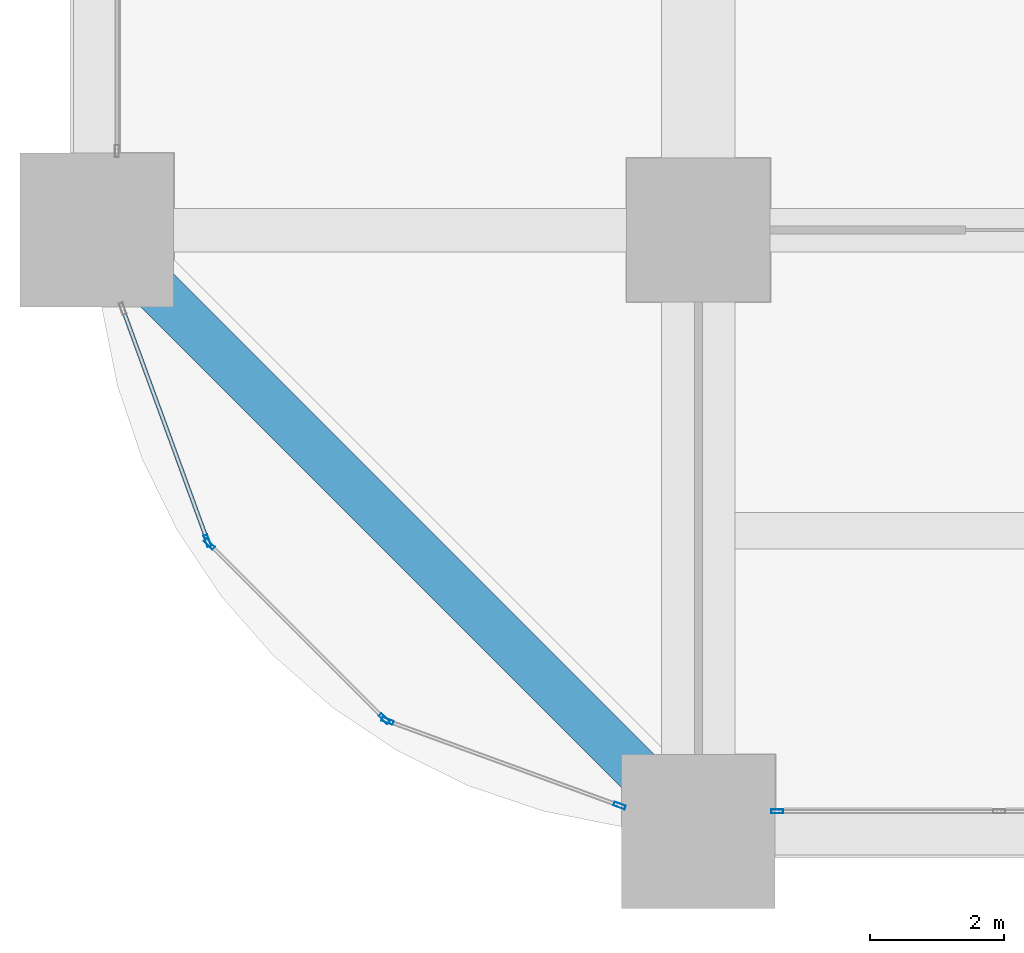
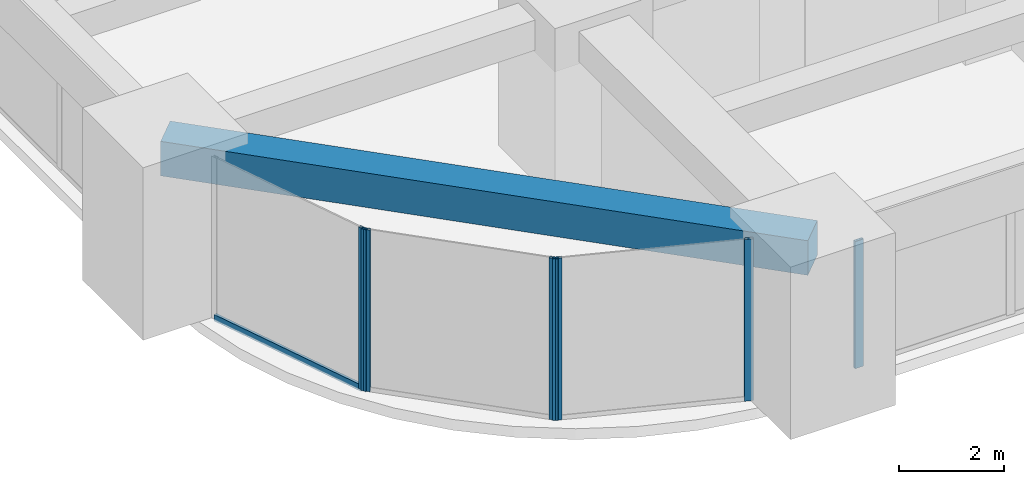
# One storey, part 2 of 44: 7 members, 1 beam, 4 elements without a shape of their own.
"""IFC4 building model written with IfcOpenShell, lengths in metres."""

from ifc_helpers import new_model, si_unit, direction, frame, origin, origin_2d, place, context, subcontext, project, spatial, rectangle, hollow_rectangle, extrude, material, material_profile, profile_set, type_object, element, aggregate, save


model = new_model("IFC4")

# Units and contexts
model_context = context("Model", 3, precision=1e-05, world=origin(), true_north=direction((0.0, 1.0)))
body_context = subcontext(model_context, "Body", "Model", "MODEL_VIEW")
ifc_project = project(units=[si_unit("LENGTHUNIT", "METRE"), si_unit("AREAUNIT", "SQUARE_METRE"), si_unit("VOLUMEUNIT", "CUBIC_METRE"), si_unit("PLANEANGLEUNIT", "RADIAN"), si_unit("MASSUNIT", "GRAM", prefix="KILO")], contexts=[model_context])

# Site, building, storey
site_placement = place(None, origin())
site = spatial("IfcSite", under=ifc_project, at=site_placement, CompositionType="ELEMENT")
building_placement = place(site_placement, origin())
building = spatial("IfcBuilding", under=site, at=building_placement, Name="Zorevar Civic Tower", CompositionType="ELEMENT")
storey_placement = place(building_placement, frame((0.0, 0.0, 51.800048828125)))
storey = spatial("IfcBuildingStorey", under=building, at=storey_placement, Name="L12", CompositionType="ELEMENT", Elevation=51.800048828125)

# Curtain wall, member
ifc_material_1 = material(Name="Dark grey solar-control glass in black aluminium frame", Category="aluminium")
curtain_wall_type = type_object("IfcCurtainWallType", Name="Curtain wall CW2 low zone", PredefinedType="NOTDEFINED", material=ifc_material_1)
curtain_wall_1_placement = place(storey_placement, origin())
curtain_wall_1 = element("IfcCurtainWall", 1, at=curtain_wall_1_placement, inside=storey, type_object=curtain_wall_type, Name="CW2 L12", PredefinedType="NOTDEFINED")
ifc_material_2 = material(Name="Aluminium, black anodised", Category="aluminium")
ifc_material_profile_1 = material_profile(ifc_material_2, hollow_rectangle(XDim=0.06005859375, YDim=0.179931640625, WallThickness=0.00390625, at=origin_2d()), Name="AL 180x60x4")
ifc_profile_set_1 = profile_set([ifc_material_profile_1], Name="Aluminium, black anodised")
member_type_1 = type_object("IfcMemberType", Name="CW2 mullion AL 180x60x4", PredefinedType="MULLION", material=ifc_profile_set_1)
member_1_placement = place(storey_placement, frame((10.179931640625, 0.300048828125, 0.0), z_axis=(0.0, 0.0, 1.0), x_axis=(0.0, 1.0, 0.0)))
member_1 = element("IfcMember", 2, at=member_1_placement, type_object=member_type_1, Name="CW2 mullion 1", PredefinedType="MULLION", context=body_context, shape_type="SweptSolid", body=[
    extrude(hollow_rectangle(XDim=0.06005859375, YDim=0.179931640625, WallThickness=0.00390625, at=origin_2d()), origin(), (0.0, 0.0, 1.0), 2.949951171875),
])
aggregate(curtain_wall_1, [member_1])

curtain_wall_2_placement = place(storey_placement, origin())
curtain_wall_2 = element("IfcCurtainWall", 3, at=curtain_wall_2_placement, inside=storey, type_object=curtain_wall_type, Name="CW2 L12", PredefinedType="NOTDEFINED")
member_2_placement = place(storey_placement, frame((1.65478515625, 4.349609375, 0.0), z_axis=(0.0, 0.0, 1.0), x_axis=(0.939313345732, 0.343060400701, 0.0)))
member_2 = element("IfcMember", 4, at=member_2_placement, type_object=member_type_1, Name="CW2 mullion 2", PredefinedType="MULLION", context=body_context, shape_type="SweptSolid", body=[
    extrude(hollow_rectangle(XDim=0.06005859375, YDim=0.179931640625, WallThickness=0.00390625, at=origin_2d()), origin(), (0.0, 0.0, 1.0), 3.75),
])

# Curtain wall, members
curtain_wall_3_placement = place(storey_placement, origin())
curtain_wall_3 = element("IfcCurtainWall", 5, at=curtain_wall_3_placement, inside=storey, type_object=curtain_wall_type, Name="CW2 L12", PredefinedType="NOTDEFINED")
member_3_placement = place(storey_placement, frame((1.686279296875, 4.30029296875, 0.0), z_axis=(0.0, 0.0, 1.0), x_axis=(0.707106781187, 0.707106781187, 0.0)))
member_3 = element("IfcMember", 6, at=member_3_placement, type_object=member_type_1, Name="CW2 mullion 1", PredefinedType="MULLION", context=body_context, shape_type="SweptSolid", body=[
    extrude(hollow_rectangle(XDim=0.06005859375, YDim=0.179931640625, WallThickness=0.00390625, at=origin_2d()), origin(), (0.0, 0.0, 1.0), 3.75),
])
member_4_placement = place(storey_placement, frame((4.30029296875, 1.686279296875, 0.0), z_axis=(0.0, 0.0, 1.0), x_axis=(0.707106781187, 0.707106781187, 0.0)))
member_4 = element("IfcMember", 7, at=member_4_placement, type_object=member_type_1, Name="CW2 mullion 2", PredefinedType="MULLION", context=body_context, shape_type="SweptSolid", body=[
    extrude(hollow_rectangle(XDim=0.06005859375, YDim=0.179931640625, WallThickness=0.00390625, at=origin_2d()), origin(), (0.0, 0.0, 1.0), 3.75),
])
aggregate(curtain_wall_3, [member_3, member_4])

curtain_wall_4_placement = place(storey_placement, origin())
curtain_wall_4 = element("IfcCurtainWall", 8, at=curtain_wall_4_placement, inside=storey, type_object=curtain_wall_type, Name="CW2 L12", PredefinedType="NOTDEFINED")
member_5_placement = place(storey_placement, frame((4.349609375, 1.65478515625, 0.0), z_axis=(0.0, 0.0, 1.0), x_axis=(0.343060400701, 0.939313345732, 0.0)))
member_5 = element("IfcMember", 9, at=member_5_placement, type_object=member_type_1, Name="CW2 mullion 1", PredefinedType="MULLION", context=body_context, shape_type="SweptSolid", body=[
    extrude(hollow_rectangle(XDim=0.06005859375, YDim=0.179931640625, WallThickness=0.00390625, at=origin_2d()), origin(), (0.0, 0.0, 1.0), 3.75),
])
member_6_placement = place(storey_placement, frame((7.82177734375, 0.38671875, 0.0), z_axis=(0.0, 0.0, 1.0), x_axis=(0.343060400701, 0.939313345732, 0.0)))
member_6 = element("IfcMember", 10, at=member_6_placement, type_object=member_type_1, Name="CW2 mullion 2", PredefinedType="MULLION", context=body_context, shape_type="SweptSolid", body=[
    extrude(hollow_rectangle(XDim=0.06005859375, YDim=0.179931640625, WallThickness=0.00390625, at=origin_2d()), origin(), (0.0, 0.0, 1.0), 3.75),
])
aggregate(curtain_wall_4, [member_5, member_6])

# Member
ifc_material_3 = material(Name="Aluminium, black anodised", Category="aluminium")
ifc_material_profile_2 = material_profile(ifc_material_3, hollow_rectangle(XDim=0.06005859375, YDim=0.14990234375, WallThickness=0.00390625, at=origin_2d()), Name="AL 150x60x4")
ifc_profile_set_2 = profile_set([ifc_material_profile_2], Name="Aluminium, black anodised")
member_type_2 = type_object("IfcMemberType", Name="CW2 transom AL 150x60x4", PredefinedType="USERDEFINED", material=ifc_profile_set_2)
member_7_placement = place(storey_placement, frame((0.39697265625, 7.793701171875, 0.030029296875), z_axis=(0.343047162808, -0.939318180432, 0.0), x_axis=(0.939318180432, 0.343047162808, 0.0)))
member_7 = element("IfcMember", 11, at=member_7_placement, type_object=member_type_2, Name="CW2 sill transom", ObjectType="TRANSOM", PredefinedType="USERDEFINED", context=body_context, shape_type="SweptSolid", body=[
    extrude(hollow_rectangle(XDim=0.06005859375, YDim=0.14990234375, WallThickness=0.00390625, at=origin_2d()), origin(), (0.0, 0.0, 1.0), 3.63671875),
])

aggregate(curtain_wall_2, [member_2, member_7])

# Beam
ifc_material_4 = material(Name="Concrete C50/60", Category="concrete")
ifc_material_profile_3 = material_profile(ifc_material_4, rectangle(XDim=0.699951171875, YDim=0.800048828125, at=origin_2d()), Name="RC 700x800")
ifc_profile_set_3 = profile_set([ifc_material_profile_3], Name="Concrete C50/60")
beam_type = type_object("IfcBeamType", Name="Edge beam RC 700x800", PredefinedType="SPANDREL", material=ifc_profile_set_3)
beam_placement = place(storey_placement, frame((0.0, 9.0, 3.349853515625), z_axis=(0.707106781187, -0.707106781187, 0.0), x_axis=(0.707106781187, 0.707106781187, 0.0)))
element("IfcBeam", 12, at=beam_placement, inside=storey, type_object=beam_type, Name="Corner edge beam L13", PredefinedType="SPANDREL", context=body_context, shape_type="SweptSolid", body=[
    extrude(rectangle(XDim=0.699951171875, YDim=0.800048828125, at=origin_2d()), origin(), (0.0, 0.0, 1.0), 12.72802734375),
])

save(model, "model.ifc")
